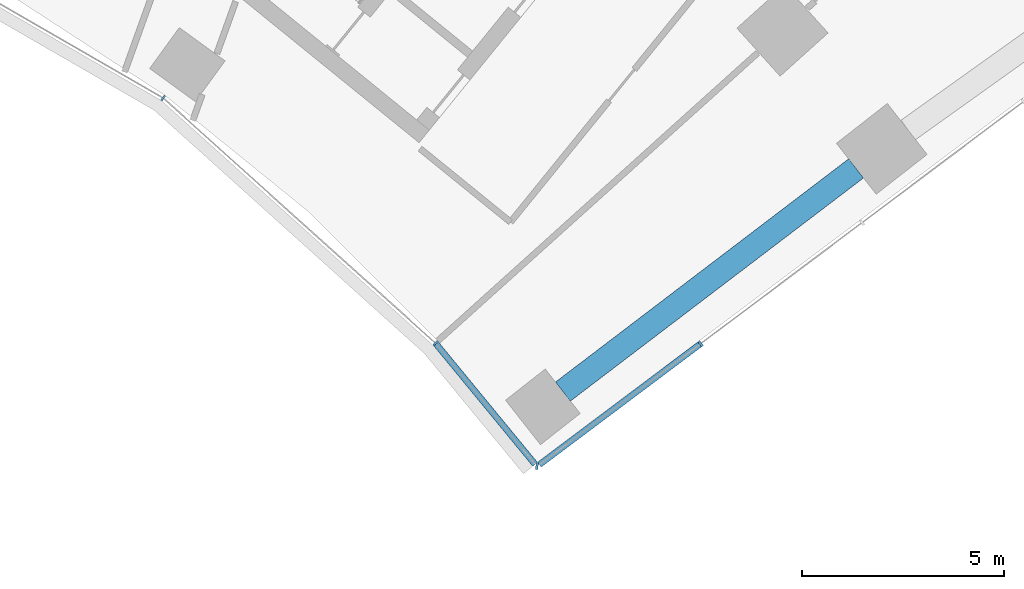
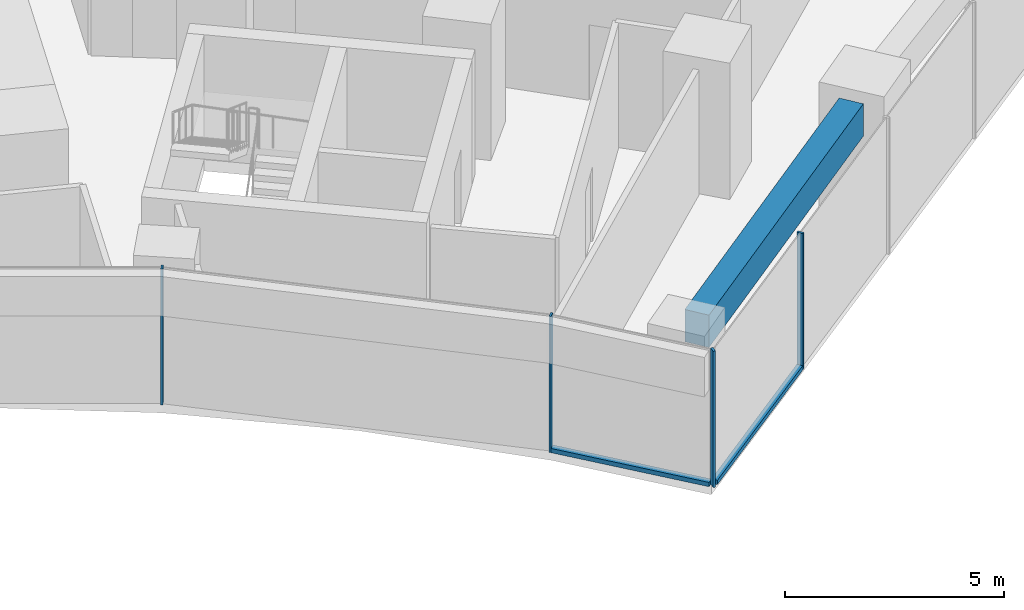
# One storey, part 8 of 21: 6 members, 1 beam, 2 elements without a shape of their own.
"""IFC4 building model written with IfcOpenShell, lengths in metres."""

from ifc_helpers import new_model, si_unit, direction, frame, origin, origin_2d, place, context, subcontext, project, spatial, rectangle, extrude, material, layer, layer_set, material_profile, profile_set, type_object, element, aggregate, save


model = new_model("IFC4")

# Units and contexts
model_context = context("Model", 3, precision=1e-05, world=origin(), true_north=direction((0.0, 1.0)))
body_context = subcontext(model_context, "Body", "Model", "MODEL_VIEW")
ifc_project = project(units=[si_unit("LENGTHUNIT", "METRE"), si_unit("AREAUNIT", "SQUARE_METRE"), si_unit("VOLUMEUNIT", "CUBIC_METRE"), si_unit("PLANEANGLEUNIT", "RADIAN"), si_unit("MASSUNIT", "GRAM", prefix="KILO")], contexts=[model_context])

# Site, building, storey
site_placement = place(None, origin())
site = spatial("IfcSite", under=ifc_project, at=site_placement, CompositionType="ELEMENT")
building_placement = place(site_placement, origin())
building = spatial("IfcBuilding", under=site, at=building_placement, Name="Stone Belt Terrace Tower", CompositionType="ELEMENT")
storey_placement = place(building_placement, frame((0.0, 0.0, 71.800048828125)))
storey = spatial("IfcBuildingStorey", under=building, at=storey_placement, Name="L17", CompositionType="ELEMENT", Elevation=71.800048828125)

# Curtain wall, members
ifc_material_1 = material(Name="Aluminium 6063-T6 anodised frame", Category="aluminium")
ifc_layer_1 = layer(ifc_material_1, 0.14990234375)
ifc_layer_set_1 = layer_set([ifc_layer_1], Name="CW-B unitised concave-face curtain wall")
curtain_wall_type_1 = type_object("IfcCurtainWallType", Name="CW-B unitised concave-face curtain wall", PredefinedType="NOTDEFINED", material=ifc_layer_set_1)
curtain_wall_1_placement = place(storey_placement, origin())
curtain_wall_1 = element("IfcCurtainWall", 1, at=curtain_wall_1_placement, inside=storey, type_object=curtain_wall_type_1, Name="CW-B concave face L17", PredefinedType="NOTDEFINED")
ifc_material_profile_1 = material_profile(ifc_material_1, rectangle(XDim=0.14990234375, YDim=0.050048828125, at=origin_2d()), Name="Aluminium 6063-T6 50x150")
ifc_profile_set_1 = profile_set([ifc_material_profile_1], Name="Aluminium 6063-T6 anodised frame")
member_type_1 = type_object("IfcMemberType", Name="CW-B mullion 50 x 150", PredefinedType="MULLION", material=ifc_profile_set_1)
member_1_placement = place(storey_placement, frame((25.5244140625, 35.13134765625, 0.0), z_axis=(0.0, 0.0, 1.0), x_axis=(0.587785252292, 0.809016994375, 0.0)))
member_1 = element("IfcMember", 2, at=member_1_placement, type_object=member_type_1, Name="CW-B mullion 9", PredefinedType="MULLION", context=body_context, shape_type="SweptSolid", body=[
    extrude(rectangle(XDim=0.14990234375, YDim=0.050048828125, at=origin_2d()), origin(), (0.0, 0.0, 1.0), 3.800048828125),
])
member_2_placement = place(storey_placement, frame((32.2724609375, 29.05517578125, 0.0), z_axis=(0.0, 0.0, 1.0), x_axis=(0.722752516957, 0.691106937624, 0.0)))
member_2 = element("IfcMember", 3, at=member_2_placement, type_object=member_type_1, Name="CW-B mullion 10", PredefinedType="MULLION", context=body_context, shape_type="SweptSolid", body=[
    extrude(rectangle(XDim=0.14990234375, YDim=0.050048828125, at=origin_2d()), origin(), (0.0, 0.0, 1.0), 3.800048828125),
])
ifc_material_profile_2 = material_profile(ifc_material_1, rectangle(XDim=0.14990234375, YDim=0.1201171875, at=origin_2d()), Name="Aluminium 6063-T6 150x120")
ifc_profile_set_2 = profile_set([ifc_material_profile_2], Name="Aluminium 6063-T6 anodised frame")
member_type_2 = type_object("IfcMemberType", Name="CW-B transom 120 x 150", PredefinedType="USERDEFINED", material=ifc_profile_set_2)
member_3_placement = place(storey_placement, frame((32.291748046875, 29.03173828125, 0.06005859375), z_axis=(0.635216972349, -0.772333734884, 0.0), x_axis=(0.772333734884, 0.635216972349, 0.0)))
member_3 = element("IfcMember", 4, at=member_3_placement, type_object=member_type_2, Name="CW-B transom 10.1", ObjectType="TRANSOM", PredefinedType="USERDEFINED", context=body_context, shape_type="SweptSolid", body=[
    extrude(rectangle(XDim=0.14990234375, YDim=0.1201171875, at=origin_2d()), origin(), (0.0, 0.0, 1.0), 3.8583984375),
])
aggregate(curtain_wall_1, [member_1, member_2, member_3])

ifc_layer_2 = layer(ifc_material_1, 0.14990234375)
ifc_layer_set_2 = layer_set([ifc_layer_2], Name="CW-C stick curtain wall, horn ends and notches")
curtain_wall_type_2 = type_object("IfcCurtainWallType", Name="CW-C stick curtain wall, horn ends and notches", PredefinedType="NOTDEFINED", material=ifc_layer_set_2)
curtain_wall_2_placement = place(storey_placement, origin())
curtain_wall_2 = element("IfcCurtainWall", 5, at=curtain_wall_2_placement, inside=storey, type_object=curtain_wall_type_2, Name="CW-C end face L17", PredefinedType="NOTDEFINED")
ifc_material_profile_3 = material_profile(ifc_material_1, rectangle(XDim=0.14990234375, YDim=0.06005859375, at=origin_2d()), Name="Aluminium 6063-T6 60x150")
ifc_profile_set_3 = profile_set([ifc_material_profile_3], Name="Aluminium 6063-T6 anodised frame")
member_type_3 = type_object("IfcMemberType", Name="CW-C mullion 60 x 150", PredefinedType="MULLION", material=ifc_profile_set_3)
member_4_placement = place(storey_placement, frame((34.787109375, 25.997802734375, 0.0), z_axis=(0.0, 0.0, 1.0), x_axis=(0.119211709622, 0.992868857548, 0.0)))
member_4 = element("IfcMember", 6, at=member_4_placement, type_object=member_type_3, Name="CW-C mullion 1", PredefinedType="MULLION", context=body_context, shape_type="SweptSolid", body=[
    extrude(rectangle(XDim=0.14990234375, YDim=0.06005859375, at=origin_2d()), origin(), (0.0, 0.0, 1.0), 3.800048828125),
])
member_5_placement = place(storey_placement, frame((38.84423828125, 29.040771484375, 0.0), z_axis=(0.0, 0.0, 1.0), x_axis=(-0.600017992436, 0.799986505357, 0.0)))
member_5 = element("IfcMember", 7, at=member_5_placement, type_object=member_type_3, Name="CW-C mullion 2", PredefinedType="MULLION", context=body_context, shape_type="SweptSolid", body=[
    extrude(rectangle(XDim=0.14990234375, YDim=0.06005859375, at=origin_2d()), origin(), (0.0, 0.0, 1.0), 3.800048828125),
])
ifc_material_profile_4 = material_profile(ifc_material_1, rectangle(XDim=0.14990234375, YDim=0.1201171875, at=origin_2d()), Name="Aluminium 6063-T6 150x120")
ifc_profile_set_4 = profile_set([ifc_material_profile_4], Name="Aluminium 6063-T6 anodised frame")
member_type_4 = type_object("IfcMemberType", Name="CW-C transom 120 x 150", PredefinedType="USERDEFINED", material=ifc_profile_set_4)
member_6_placement = place(storey_placement, frame((34.845947265625, 26.041748046875, 0.06005859375), z_axis=(0.79995872006, 0.600055035976, 0.0), x_axis=(-0.600055035976, 0.79995872006, 0.0)))
member_6 = element("IfcMember", 8, at=member_6_placement, type_object=member_type_4, Name="CW-C transom 1.1", ObjectType="TRANSOM", PredefinedType="USERDEFINED", context=body_context, shape_type="SweptSolid", body=[
    extrude(rectangle(XDim=0.14990234375, YDim=0.1201171875, at=origin_2d()), origin(), (0.0, 0.0, 1.0), 4.96826171875),
])
aggregate(curtain_wall_2, [member_4, member_5, member_6])

# Beam
ifc_material_2 = material(Name="Concrete B60", Category="concrete")
ifc_material_profile_5 = material_profile(ifc_material_2, rectangle(XDim=0.60009765625, YDim=0.89990234375, at=origin_2d()), Name="RC 600x900")
ifc_profile_set_5 = profile_set([ifc_material_profile_5], Name="Concrete B60")
beam_type = type_object("IfcBeamType", Name="Edge beam RC 600x900 B60", PredefinedType="SPANDREL", material=ifc_profile_set_5)
beam_placement = place(storey_placement, frame((35.431396484375, 27.855224609375, 3.030029296875), z_axis=(0.795705994506, 0.605683060939, 0.0), x_axis=(-0.605683060939, 0.795705994506, 0.0)))
element("IfcBeam", 9, at=beam_placement, inside=storey, type_object=beam_type, Name="Edge beam L17 B P to Q", PredefinedType="SPANDREL", context=body_context, shape_type="SweptSolid", body=[
    extrude(rectangle(XDim=0.60009765625, YDim=0.89990234375, at=origin_2d()), origin(), (0.0, 0.0, 1.0), 9.131103515625),
])

save(model, "model.ifc")
